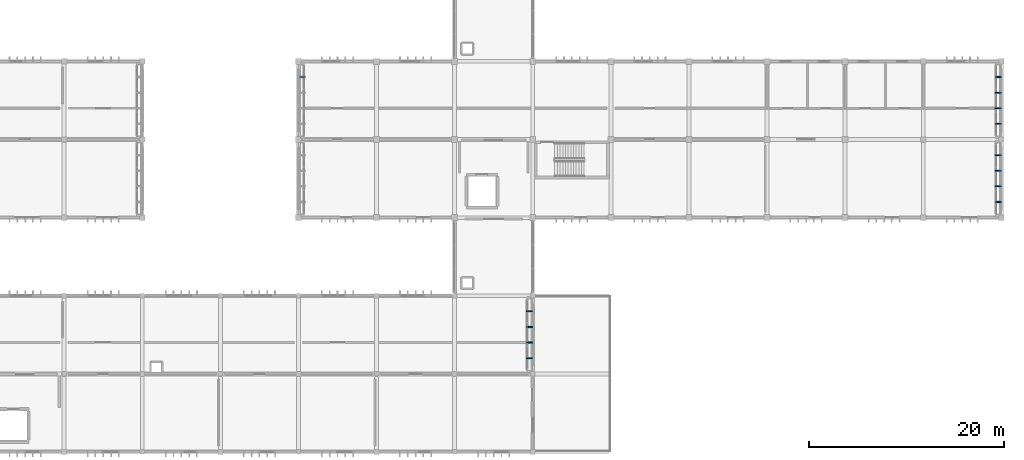
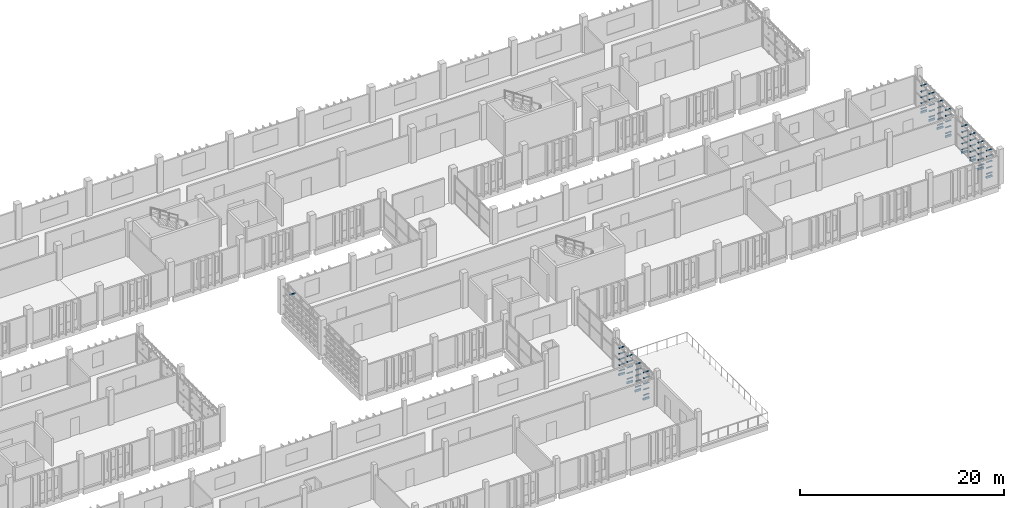
# One storey, part 57 of 63: 73 discrete accessories.
"""IFC4 building model written with IfcOpenShell, lengths in metres."""

from ifc_helpers import new_model, si_unit, direction, frame, origin, origin_2d, place, context, subcontext, project, spatial, rectangle, extrude, material, type_object, element, save


model = new_model("IFC4")

# Units and contexts
model_context = context("Model", 3, precision=1e-05, world=origin(), true_north=direction((0.0, 1.0)))
body_context = subcontext(model_context, "Body", "Model", "MODEL_VIEW")
ifc_project = project(units=[si_unit("LENGTHUNIT", "METRE"), si_unit("AREAUNIT", "SQUARE_METRE"), si_unit("VOLUMEUNIT", "CUBIC_METRE"), si_unit("PLANEANGLEUNIT", "RADIAN"), si_unit("MASSUNIT", "GRAM", prefix="KILO")], contexts=[model_context])

# Site, building, storey
site_placement = place(None, origin())
site = spatial("IfcSite", under=ifc_project, at=site_placement, CompositionType="ELEMENT")
building_placement = place(site_placement, origin())
building = spatial("IfcBuilding", under=site, at=building_placement, Name="Jelvoka-Kovrelna Polytechnic", CompositionType="ELEMENT")
storey_placement = place(building_placement, frame((0.0, 0.0, 18.0)))
storey = spatial("IfcBuildingStorey", under=building, at=storey_placement, Name="L05", CompositionType="ELEMENT", Elevation=18.0)

# Discrete accessories
ifc_material = material(Name="Structural steel S355JR", Category="steel")
discrete_accessory_type = type_object("IfcDiscreteAccessoryType", Name="Bracket_Outrigger_S355", PredefinedType="BRACKET", material=ifc_material)
discrete_accessory_1_placement = place(storey_placement, frame((151.679931640625, 17.60009765625, 0.33984375), z_axis=(0.0, 0.0, 1.0), x_axis=(1.0, 0.0, 0.0)))
element("IfcDiscreteAccessory", 1, at=discrete_accessory_1_placement, inside=storey, type_object=discrete_accessory_type, Name="L05 screen outrigger tie bracket BRKM-PLT-SCR-0141", PredefinedType="BRACKET", context=body_context, shape_type="SweptSolid", body=[
    extrude(rectangle(XDim=0.639892578125, YDim=0.080078125, at=origin_2d()), origin(), (0.0, 0.0, 1.0), 0.080078125),
])
discrete_accessory_2_placement = place(storey_placement, frame((151.659912109375, 17.60009765625, -0.2001953125), z_axis=(0.0, 0.0, 1.0), x_axis=(1.0, 0.0, 0.0)))
element("IfcDiscreteAccessory", 2, at=discrete_accessory_2_placement, inside=storey, type_object=discrete_accessory_type, Name="L05 screen outrigger tie bracket BRK-PLT-SCR-0141", PredefinedType="BRACKET", context=body_context, shape_type="SweptSolid", body=[
    extrude(rectangle(XDim=0.679931640625, YDim=0.1201171875, at=origin_2d()), origin(), (0.0, 0.0, 1.0), 0.239990234375),
])
for number, where, z_axis, x_axis, name in (
    (3, (151.679931640625, 17.60009765625, 1.017578125), (0.0, 0.0, 1.0), (1.0, 0.0, 0.0), "L05 screen outrigger tie bracket BRKM-PLT-SCR-0142"),
    (4, (151.679931640625, 17.60009765625, 1.695068359375), (0.0, 0.0, 1.0), (1.0, 0.0, 0.0), "L05 screen outrigger tie bracket BRKM-PLT-SCR-0143"),
    (5, (151.679931640625, 17.60009765625, 2.37255859375), (0.0, 0.0, 1.0), (1.0, 0.0, 0.0), "L05 screen outrigger tie bracket BRKM-PLT-SCR-0144"),
    (6, (151.679931640625, 17.60009765625, 3.050048828125), (0.0, 0.0, 1.0), (1.0, 0.0, 0.0), "L05 screen outrigger tie bracket BRKM-PLT-SCR-0145"),
    (7, (151.679931640625, 19.199951171875, 0.33984375), (0.0, 0.0, 1.0), (1.0, 0.0, 0.0), "L05 screen outrigger tie bracket BRKM-PLT-SCR-0146"),
):
    element("IfcDiscreteAccessory", number, at=place(storey_placement, frame(where, z_axis=z_axis, x_axis=x_axis)), inside=storey, type_object=discrete_accessory_type, Name=name, PredefinedType="BRACKET", context=body_context, shape_type="SweptSolid", body=[
        extrude(rectangle(XDim=0.639892578125, YDim=0.080078125, at=origin_2d()), origin(), (0.0, 0.0, 1.0), 0.080078125),
    ])
discrete_accessory_3_placement = place(storey_placement, frame((151.659912109375, 19.199951171875, -0.2001953125), z_axis=(0.0, 0.0, 1.0), x_axis=(1.0, 0.0, 0.0)))
element("IfcDiscreteAccessory", 8, at=discrete_accessory_3_placement, inside=storey, type_object=discrete_accessory_type, Name="L05 screen outrigger tie bracket BRK-PLT-SCR-0146", PredefinedType="BRACKET", context=body_context, shape_type="SweptSolid", body=[
    extrude(rectangle(XDim=0.679931640625, YDim=0.1201171875, at=origin_2d()), origin(), (0.0, 0.0, 1.0), 0.239990234375),
])
for number, where, z_axis, x_axis, name in (
    (9, (151.679931640625, 19.199951171875, 1.017578125), (0.0, 0.0, 1.0), (1.0, 0.0, 0.0), "L05 screen outrigger tie bracket BRKM-PLT-SCR-0147"),
    (10, (151.679931640625, 19.199951171875, 1.695068359375), (0.0, 0.0, 1.0), (1.0, 0.0, 0.0), "L05 screen outrigger tie bracket BRKM-PLT-SCR-0148"),
    (11, (151.679931640625, 19.199951171875, 2.37255859375), (0.0, 0.0, 1.0), (1.0, 0.0, 0.0), "L05 screen outrigger tie bracket BRKM-PLT-SCR-0149"),
    (12, (151.679931640625, 19.199951171875, 3.050048828125), (0.0, 0.0, 1.0), (1.0, 0.0, 0.0), "L05 screen outrigger tie bracket BRKM-PLT-SCR-0150"),
    (13, (151.679931640625, 20.800048828125, 0.33984375), (0.0, 0.0, 1.0), (1.0, 0.0, 0.0), "L05 screen outrigger tie bracket BRKM-PLT-SCR-0151"),
):
    element("IfcDiscreteAccessory", number, at=place(storey_placement, frame(where, z_axis=z_axis, x_axis=x_axis)), inside=storey, type_object=discrete_accessory_type, Name=name, PredefinedType="BRACKET", context=body_context, shape_type="SweptSolid", body=[
        extrude(rectangle(XDim=0.639892578125, YDim=0.080078125, at=origin_2d()), origin(), (0.0, 0.0, 1.0), 0.080078125),
    ])
discrete_accessory_4_placement = place(storey_placement, frame((151.659912109375, 20.800048828125, -0.2001953125), z_axis=(0.0, 0.0, 1.0), x_axis=(1.0, 0.0, 0.0)))
element("IfcDiscreteAccessory", 14, at=discrete_accessory_4_placement, inside=storey, type_object=discrete_accessory_type, Name="L05 screen outrigger tie bracket BRK-PLT-SCR-0151", PredefinedType="BRACKET", context=body_context, shape_type="SweptSolid", body=[
    extrude(rectangle(XDim=0.679931640625, YDim=0.1201171875, at=origin_2d()), origin(), (0.0, 0.0, 1.0), 0.239990234375),
])
for number, where, z_axis, x_axis, name in (
    (15, (151.679931640625, 20.800048828125, 1.017578125), (0.0, 0.0, 1.0), (1.0, 0.0, 0.0), "L05 screen outrigger tie bracket BRKM-PLT-SCR-0152"),
    (16, (151.679931640625, 20.800048828125, 1.695068359375), (0.0, 0.0, 1.0), (1.0, 0.0, 0.0), "L05 screen outrigger tie bracket BRKM-PLT-SCR-0153"),
    (17, (151.679931640625, 20.800048828125, 2.37255859375), (0.0, 0.0, 1.0), (1.0, 0.0, 0.0), "L05 screen outrigger tie bracket BRKM-PLT-SCR-0154"),
    (18, (151.679931640625, 20.800048828125, 3.050048828125), (0.0, 0.0, 1.0), (1.0, 0.0, 0.0), "L05 screen outrigger tie bracket BRKM-PLT-SCR-0155"),
    (19, (151.679931640625, 22.39990234375, 0.33984375), (0.0, 0.0, 1.0), (1.0, 0.0, 0.0), "L05 screen outrigger tie bracket BRKM-PLT-SCR-0156"),
):
    element("IfcDiscreteAccessory", number, at=place(storey_placement, frame(where, z_axis=z_axis, x_axis=x_axis)), inside=storey, type_object=discrete_accessory_type, Name=name, PredefinedType="BRACKET", context=body_context, shape_type="SweptSolid", body=[
        extrude(rectangle(XDim=0.639892578125, YDim=0.080078125, at=origin_2d()), origin(), (0.0, 0.0, 1.0), 0.080078125),
    ])
discrete_accessory_5_placement = place(storey_placement, frame((151.659912109375, 22.39990234375, -0.2001953125), z_axis=(0.0, 0.0, 1.0), x_axis=(1.0, 0.0, 0.0)))
element("IfcDiscreteAccessory", 20, at=discrete_accessory_5_placement, inside=storey, type_object=discrete_accessory_type, Name="L05 screen outrigger tie bracket BRK-PLT-SCR-0156", PredefinedType="BRACKET", context=body_context, shape_type="SweptSolid", body=[
    extrude(rectangle(XDim=0.679931640625, YDim=0.1201171875, at=origin_2d()), origin(), (0.0, 0.0, 1.0), 0.239990234375),
])
for number, where, z_axis, x_axis, name in (
    (21, (151.679931640625, 22.39990234375, 1.017578125), (0.0, 0.0, 1.0), (1.0, 0.0, 0.0), "L05 screen outrigger tie bracket BRKM-PLT-SCR-0157"),
    (22, (151.679931640625, 22.39990234375, 1.695068359375), (0.0, 0.0, 1.0), (1.0, 0.0, 0.0), "L05 screen outrigger tie bracket BRKM-PLT-SCR-0158"),
    (23, (151.679931640625, 22.39990234375, 2.37255859375), (0.0, 0.0, 1.0), (1.0, 0.0, 0.0), "L05 screen outrigger tie bracket BRKM-PLT-SCR-0159"),
    (24, (151.679931640625, 22.39990234375, 3.050048828125), (0.0, 0.0, 1.0), (1.0, 0.0, 0.0), "L05 screen outrigger tie bracket BRKM-PLT-SCR-0160"),
    (25, (128.320068359375, 46.39990234375, 3.050048828125), (0.0, 0.0, 1.0), (1.0, 0.0, 0.0), "L05 screen outrigger tie bracket BRKM-PLT-SCR-0780"),
    (26, (199.679931640625, 33.60009765625, 0.280029296875), (0.0, 0.0, 1.0), (1.0, 0.0, 0.0), "L05 screen outrigger tie bracket BRKM-PLT-SCR-0781"),
):
    element("IfcDiscreteAccessory", number, at=place(storey_placement, frame(where, z_axis=z_axis, x_axis=x_axis)), inside=storey, type_object=discrete_accessory_type, Name=name, PredefinedType="BRACKET", context=body_context, shape_type="SweptSolid", body=[
        extrude(rectangle(XDim=0.639892578125, YDim=0.080078125, at=origin_2d()), origin(), (0.0, 0.0, 1.0), 0.080078125),
    ])
discrete_accessory_6_placement = place(storey_placement, frame((199.659912109375, 33.60009765625, -0.2001953125), z_axis=(0.0, 0.0, 1.0), x_axis=(1.0, 0.0, 0.0)))
element("IfcDiscreteAccessory", 27, at=discrete_accessory_6_placement, inside=storey, type_object=discrete_accessory_type, Name="L05 screen outrigger tie bracket BRK-PLT-SCR-0781", PredefinedType="BRACKET", context=body_context, shape_type="SweptSolid", body=[
    extrude(rectangle(XDim=0.679931640625, YDim=0.1201171875, at=origin_2d()), origin(), (0.0, 0.0, 1.0), 0.239990234375),
])
for number, where, z_axis, x_axis, name in (
    (28, (199.679931640625, 33.60009765625, 0.972412109375), (0.0, 0.0, 1.0), (1.0, 0.0, 0.0), "L05 screen outrigger tie bracket BRKM-PLT-SCR-0782"),
    (29, (199.679931640625, 33.60009765625, 1.6650390625), (0.0, 0.0, 1.0), (1.0, 0.0, 0.0), "L05 screen outrigger tie bracket BRKM-PLT-SCR-0783"),
    (30, (199.679931640625, 33.60009765625, 2.357421875), (0.0, 0.0, 1.0), (1.0, 0.0, 0.0), "L05 screen outrigger tie bracket BRKM-PLT-SCR-0784"),
    (31, (199.679931640625, 33.60009765625, 3.050048828125), (0.0, 0.0, 1.0), (1.0, 0.0, 0.0), "L05 screen outrigger tie bracket BRKM-PLT-SCR-0785"),
    (32, (199.679931640625, 35.199951171875, 0.280029296875), (0.0, 0.0, 1.0), (1.0, 0.0, 0.0), "L05 screen outrigger tie bracket BRKM-PLT-SCR-0786"),
):
    element("IfcDiscreteAccessory", number, at=place(storey_placement, frame(where, z_axis=z_axis, x_axis=x_axis)), inside=storey, type_object=discrete_accessory_type, Name=name, PredefinedType="BRACKET", context=body_context, shape_type="SweptSolid", body=[
        extrude(rectangle(XDim=0.639892578125, YDim=0.080078125, at=origin_2d()), origin(), (0.0, 0.0, 1.0), 0.080078125),
    ])
discrete_accessory_7_placement = place(storey_placement, frame((199.659912109375, 35.199951171875, -0.2001953125), z_axis=(0.0, 0.0, 1.0), x_axis=(1.0, 0.0, 0.0)))
element("IfcDiscreteAccessory", 33, at=discrete_accessory_7_placement, inside=storey, type_object=discrete_accessory_type, Name="L05 screen outrigger tie bracket BRK-PLT-SCR-0786", PredefinedType="BRACKET", context=body_context, shape_type="SweptSolid", body=[
    extrude(rectangle(XDim=0.679931640625, YDim=0.1201171875, at=origin_2d()), origin(), (0.0, 0.0, 1.0), 0.239990234375),
])
for number, where, z_axis, x_axis, name in (
    (34, (199.679931640625, 35.199951171875, 0.972412109375), (0.0, 0.0, 1.0), (1.0, 0.0, 0.0), "L05 screen outrigger tie bracket BRKM-PLT-SCR-0787"),
    (35, (199.679931640625, 35.199951171875, 1.6650390625), (0.0, 0.0, 1.0), (1.0, 0.0, 0.0), "L05 screen outrigger tie bracket BRKM-PLT-SCR-0788"),
    (36, (199.679931640625, 35.199951171875, 2.357421875), (0.0, 0.0, 1.0), (1.0, 0.0, 0.0), "L05 screen outrigger tie bracket BRKM-PLT-SCR-0789"),
    (37, (199.679931640625, 35.199951171875, 3.050048828125), (0.0, 0.0, 1.0), (1.0, 0.0, 0.0), "L05 screen outrigger tie bracket BRKM-PLT-SCR-0790"),
    (38, (199.679931640625, 36.800048828125, 0.280029296875), (0.0, 0.0, 1.0), (1.0, 0.0, 0.0), "L05 screen outrigger tie bracket BRKM-PLT-SCR-0791"),
):
    element("IfcDiscreteAccessory", number, at=place(storey_placement, frame(where, z_axis=z_axis, x_axis=x_axis)), inside=storey, type_object=discrete_accessory_type, Name=name, PredefinedType="BRACKET", context=body_context, shape_type="SweptSolid", body=[
        extrude(rectangle(XDim=0.639892578125, YDim=0.080078125, at=origin_2d()), origin(), (0.0, 0.0, 1.0), 0.080078125),
    ])
discrete_accessory_8_placement = place(storey_placement, frame((199.659912109375, 36.800048828125, -0.2001953125), z_axis=(0.0, 0.0, 1.0), x_axis=(1.0, 0.0, 0.0)))
element("IfcDiscreteAccessory", 39, at=discrete_accessory_8_placement, inside=storey, type_object=discrete_accessory_type, Name="L05 screen outrigger tie bracket BRK-PLT-SCR-0791", PredefinedType="BRACKET", context=body_context, shape_type="SweptSolid", body=[
    extrude(rectangle(XDim=0.679931640625, YDim=0.1201171875, at=origin_2d()), origin(), (0.0, 0.0, 1.0), 0.239990234375),
])
for number, where, z_axis, x_axis, name in (
    (40, (199.679931640625, 36.800048828125, 0.972412109375), (0.0, 0.0, 1.0), (1.0, 0.0, 0.0), "L05 screen outrigger tie bracket BRKM-PLT-SCR-0792"),
    (41, (199.679931640625, 36.800048828125, 1.6650390625), (0.0, 0.0, 1.0), (1.0, 0.0, 0.0), "L05 screen outrigger tie bracket BRKM-PLT-SCR-0793"),
    (42, (199.679931640625, 36.800048828125, 2.357421875), (0.0, 0.0, 1.0), (1.0, 0.0, 0.0), "L05 screen outrigger tie bracket BRKM-PLT-SCR-0794"),
    (43, (199.679931640625, 36.800048828125, 3.050048828125), (0.0, 0.0, 1.0), (1.0, 0.0, 0.0), "L05 screen outrigger tie bracket BRKM-PLT-SCR-0795"),
    (44, (199.679931640625, 38.39990234375, 0.280029296875), (0.0, 0.0, 1.0), (1.0, 0.0, 0.0), "L05 screen outrigger tie bracket BRKM-PLT-SCR-0796"),
):
    element("IfcDiscreteAccessory", number, at=place(storey_placement, frame(where, z_axis=z_axis, x_axis=x_axis)), inside=storey, type_object=discrete_accessory_type, Name=name, PredefinedType="BRACKET", context=body_context, shape_type="SweptSolid", body=[
        extrude(rectangle(XDim=0.639892578125, YDim=0.080078125, at=origin_2d()), origin(), (0.0, 0.0, 1.0), 0.080078125),
    ])
discrete_accessory_9_placement = place(storey_placement, frame((199.659912109375, 38.39990234375, -0.2001953125), z_axis=(0.0, 0.0, 1.0), x_axis=(1.0, 0.0, 0.0)))
element("IfcDiscreteAccessory", 45, at=discrete_accessory_9_placement, inside=storey, type_object=discrete_accessory_type, Name="L05 screen outrigger tie bracket BRK-PLT-SCR-0796", PredefinedType="BRACKET", context=body_context, shape_type="SweptSolid", body=[
    extrude(rectangle(XDim=0.679931640625, YDim=0.1201171875, at=origin_2d()), origin(), (0.0, 0.0, 1.0), 0.239990234375),
])
for number, where, z_axis, x_axis, name in (
    (46, (199.679931640625, 38.39990234375, 0.972412109375), (0.0, 0.0, 1.0), (1.0, 0.0, 0.0), "L05 screen outrigger tie bracket BRKM-PLT-SCR-0797"),
    (47, (199.679931640625, 38.39990234375, 1.6650390625), (0.0, 0.0, 1.0), (1.0, 0.0, 0.0), "L05 screen outrigger tie bracket BRKM-PLT-SCR-0798"),
    (48, (199.679931640625, 38.39990234375, 2.357421875), (0.0, 0.0, 1.0), (1.0, 0.0, 0.0), "L05 screen outrigger tie bracket BRKM-PLT-SCR-0799"),
    (49, (199.679931640625, 38.39990234375, 3.050048828125), (0.0, 0.0, 1.0), (1.0, 0.0, 0.0), "L05 screen outrigger tie bracket BRKM-PLT-SCR-0800"),
    (50, (199.679931640625, 41.60009765625, 0.280029296875), (0.0, 0.0, 1.0), (1.0, 0.0, 0.0), "L05 screen outrigger tie bracket BRKM-PLT-SCR-0801"),
):
    element("IfcDiscreteAccessory", number, at=place(storey_placement, frame(where, z_axis=z_axis, x_axis=x_axis)), inside=storey, type_object=discrete_accessory_type, Name=name, PredefinedType="BRACKET", context=body_context, shape_type="SweptSolid", body=[
        extrude(rectangle(XDim=0.639892578125, YDim=0.080078125, at=origin_2d()), origin(), (0.0, 0.0, 1.0), 0.080078125),
    ])
discrete_accessory_10_placement = place(storey_placement, frame((199.659912109375, 41.60009765625, -0.2001953125), z_axis=(0.0, 0.0, 1.0), x_axis=(1.0, 0.0, 0.0)))
element("IfcDiscreteAccessory", 51, at=discrete_accessory_10_placement, inside=storey, type_object=discrete_accessory_type, Name="L05 screen outrigger tie bracket BRK-PLT-SCR-0801", PredefinedType="BRACKET", context=body_context, shape_type="SweptSolid", body=[
    extrude(rectangle(XDim=0.679931640625, YDim=0.1201171875, at=origin_2d()), origin(), (0.0, 0.0, 1.0), 0.239990234375),
])
for number, where, z_axis, x_axis, name in (
    (52, (199.679931640625, 41.60009765625, 0.972412109375), (0.0, 0.0, 1.0), (1.0, 0.0, 0.0), "L05 screen outrigger tie bracket BRKM-PLT-SCR-0802"),
    (53, (199.679931640625, 41.60009765625, 1.6650390625), (0.0, 0.0, 1.0), (1.0, 0.0, 0.0), "L05 screen outrigger tie bracket BRKM-PLT-SCR-0803"),
    (54, (199.679931640625, 41.60009765625, 2.357421875), (0.0, 0.0, 1.0), (1.0, 0.0, 0.0), "L05 screen outrigger tie bracket BRKM-PLT-SCR-0804"),
    (55, (199.679931640625, 41.60009765625, 3.050048828125), (0.0, 0.0, 1.0), (1.0, 0.0, 0.0), "L05 screen outrigger tie bracket BRKM-PLT-SCR-0805"),
    (56, (199.679931640625, 43.199951171875, 0.280029296875), (0.0, 0.0, 1.0), (1.0, 0.0, 0.0), "L05 screen outrigger tie bracket BRKM-PLT-SCR-0806"),
):
    element("IfcDiscreteAccessory", number, at=place(storey_placement, frame(where, z_axis=z_axis, x_axis=x_axis)), inside=storey, type_object=discrete_accessory_type, Name=name, PredefinedType="BRACKET", context=body_context, shape_type="SweptSolid", body=[
        extrude(rectangle(XDim=0.639892578125, YDim=0.080078125, at=origin_2d()), origin(), (0.0, 0.0, 1.0), 0.080078125),
    ])
discrete_accessory_11_placement = place(storey_placement, frame((199.659912109375, 43.199951171875, -0.2001953125), z_axis=(0.0, 0.0, 1.0), x_axis=(1.0, 0.0, 0.0)))
element("IfcDiscreteAccessory", 57, at=discrete_accessory_11_placement, inside=storey, type_object=discrete_accessory_type, Name="L05 screen outrigger tie bracket BRK-PLT-SCR-0806", PredefinedType="BRACKET", context=body_context, shape_type="SweptSolid", body=[
    extrude(rectangle(XDim=0.679931640625, YDim=0.1201171875, at=origin_2d()), origin(), (0.0, 0.0, 1.0), 0.239990234375),
])
for number, where, z_axis, x_axis, name in (
    (58, (199.679931640625, 43.199951171875, 0.972412109375), (0.0, 0.0, 1.0), (1.0, 0.0, 0.0), "L05 screen outrigger tie bracket BRKM-PLT-SCR-0807"),
    (59, (199.679931640625, 43.199951171875, 1.6650390625), (0.0, 0.0, 1.0), (1.0, 0.0, 0.0), "L05 screen outrigger tie bracket BRKM-PLT-SCR-0808"),
    (60, (199.679931640625, 43.199951171875, 2.357421875), (0.0, 0.0, 1.0), (1.0, 0.0, 0.0), "L05 screen outrigger tie bracket BRKM-PLT-SCR-0809"),
    (61, (199.679931640625, 43.199951171875, 3.050048828125), (0.0, 0.0, 1.0), (1.0, 0.0, 0.0), "L05 screen outrigger tie bracket BRKM-PLT-SCR-0810"),
    (62, (199.679931640625, 44.800048828125, 0.280029296875), (0.0, 0.0, 1.0), (1.0, 0.0, 0.0), "L05 screen outrigger tie bracket BRKM-PLT-SCR-0811"),
):
    element("IfcDiscreteAccessory", number, at=place(storey_placement, frame(where, z_axis=z_axis, x_axis=x_axis)), inside=storey, type_object=discrete_accessory_type, Name=name, PredefinedType="BRACKET", context=body_context, shape_type="SweptSolid", body=[
        extrude(rectangle(XDim=0.639892578125, YDim=0.080078125, at=origin_2d()), origin(), (0.0, 0.0, 1.0), 0.080078125),
    ])
discrete_accessory_12_placement = place(storey_placement, frame((199.659912109375, 44.800048828125, -0.2001953125), z_axis=(0.0, 0.0, 1.0), x_axis=(1.0, 0.0, 0.0)))
element("IfcDiscreteAccessory", 63, at=discrete_accessory_12_placement, inside=storey, type_object=discrete_accessory_type, Name="L05 screen outrigger tie bracket BRK-PLT-SCR-0811", PredefinedType="BRACKET", context=body_context, shape_type="SweptSolid", body=[
    extrude(rectangle(XDim=0.679931640625, YDim=0.1201171875, at=origin_2d()), origin(), (0.0, 0.0, 1.0), 0.239990234375),
])
for number, where, z_axis, x_axis, name in (
    (64, (199.679931640625, 44.800048828125, 0.972412109375), (0.0, 0.0, 1.0), (1.0, 0.0, 0.0), "L05 screen outrigger tie bracket BRKM-PLT-SCR-0812"),
    (65, (199.679931640625, 44.800048828125, 1.6650390625), (0.0, 0.0, 1.0), (1.0, 0.0, 0.0), "L05 screen outrigger tie bracket BRKM-PLT-SCR-0813"),
    (66, (199.679931640625, 44.800048828125, 2.357421875), (0.0, 0.0, 1.0), (1.0, 0.0, 0.0), "L05 screen outrigger tie bracket BRKM-PLT-SCR-0814"),
    (67, (199.679931640625, 44.800048828125, 3.050048828125), (0.0, 0.0, 1.0), (1.0, 0.0, 0.0), "L05 screen outrigger tie bracket BRKM-PLT-SCR-0815"),
    (68, (199.679931640625, 46.39990234375, 0.280029296875), (0.0, 0.0, 1.0), (1.0, 0.0, 0.0), "L05 screen outrigger tie bracket BRKM-PLT-SCR-0816"),
):
    element("IfcDiscreteAccessory", number, at=place(storey_placement, frame(where, z_axis=z_axis, x_axis=x_axis)), inside=storey, type_object=discrete_accessory_type, Name=name, PredefinedType="BRACKET", context=body_context, shape_type="SweptSolid", body=[
        extrude(rectangle(XDim=0.639892578125, YDim=0.080078125, at=origin_2d()), origin(), (0.0, 0.0, 1.0), 0.080078125),
    ])
discrete_accessory_13_placement = place(storey_placement, frame((199.659912109375, 46.39990234375, -0.2001953125), z_axis=(0.0, 0.0, 1.0), x_axis=(1.0, 0.0, 0.0)))
element("IfcDiscreteAccessory", 69, at=discrete_accessory_13_placement, inside=storey, type_object=discrete_accessory_type, Name="L05 screen outrigger tie bracket BRK-PLT-SCR-0816", PredefinedType="BRACKET", context=body_context, shape_type="SweptSolid", body=[
    extrude(rectangle(XDim=0.679931640625, YDim=0.1201171875, at=origin_2d()), origin(), (0.0, 0.0, 1.0), 0.239990234375),
])
for number, where, z_axis, x_axis, name in (
    (70, (199.679931640625, 46.39990234375, 0.972412109375), (0.0, 0.0, 1.0), (1.0, 0.0, 0.0), "L05 screen outrigger tie bracket BRKM-PLT-SCR-0817"),
    (71, (199.679931640625, 46.39990234375, 1.6650390625), (0.0, 0.0, 1.0), (1.0, 0.0, 0.0), "L05 screen outrigger tie bracket BRKM-PLT-SCR-0818"),
    (72, (199.679931640625, 46.39990234375, 2.357421875), (0.0, 0.0, 1.0), (1.0, 0.0, 0.0), "L05 screen outrigger tie bracket BRKM-PLT-SCR-0819"),
    (73, (199.679931640625, 46.39990234375, 3.050048828125), (0.0, 0.0, 1.0), (1.0, 0.0, 0.0), "L05 screen outrigger tie bracket BRKM-PLT-SCR-0820"),
):
    element("IfcDiscreteAccessory", number, at=place(storey_placement, frame(where, z_axis=z_axis, x_axis=x_axis)), inside=storey, type_object=discrete_accessory_type, Name=name, PredefinedType="BRACKET", context=body_context, shape_type="SweptSolid", body=[
        extrude(rectangle(XDim=0.639892578125, YDim=0.080078125, at=origin_2d()), origin(), (0.0, 0.0, 1.0), 0.080078125),
    ])

save(model, "model.ifc")
